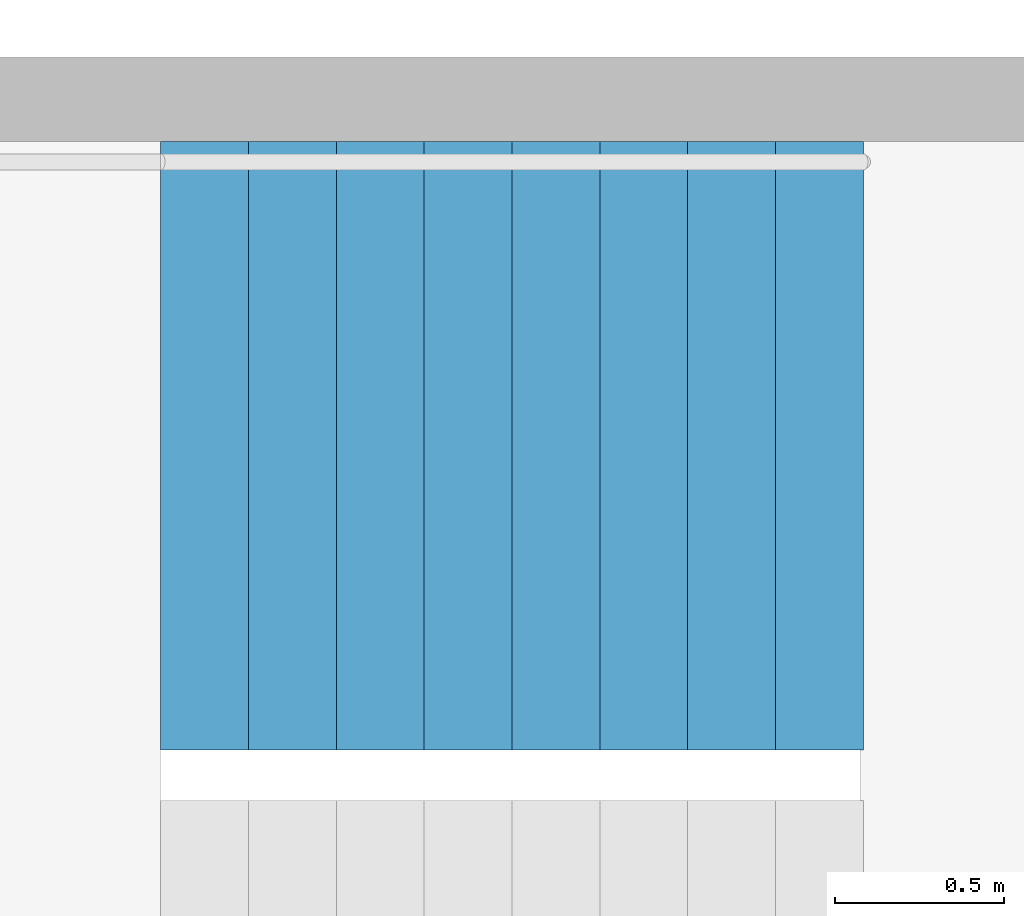
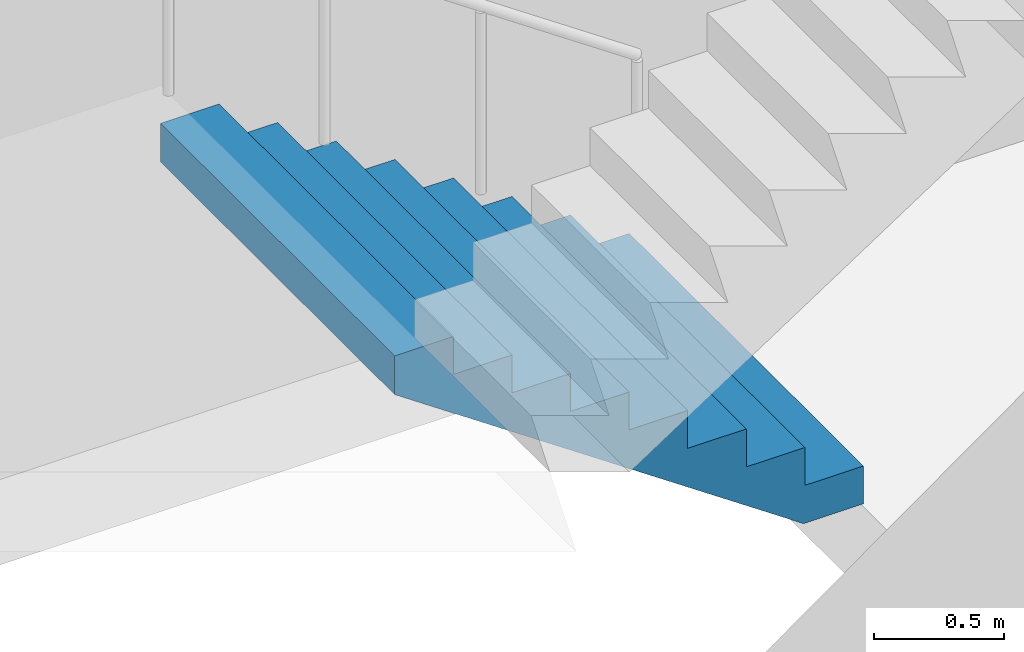
# One storey, part 20 of 33: 1 stair flight, 1 element without a shape of its own.
"""IFC4 building model written with IfcOpenShell, lengths in metres."""

from ifc_helpers import new_model, si_unit, direction, frame, origin, place, context, subcontext, project, spatial, triangles, material, type_object, element, aggregate, save


model = new_model("IFC4")

# Units and contexts
model_context = context("Model", 3, precision=1e-05, world=origin(), true_north=direction((0.0, 1.0)))
body_context = subcontext(model_context, "Body", "Model", "MODEL_VIEW")
ifc_project = project(units=[si_unit("LENGTHUNIT", "METRE"), si_unit("AREAUNIT", "SQUARE_METRE"), si_unit("VOLUMEUNIT", "CUBIC_METRE"), si_unit("PLANEANGLEUNIT", "RADIAN"), si_unit("MASSUNIT", "GRAM", prefix="KILO")], contexts=[model_context])

# Site, building, storey
site_placement = place(None, origin())
site = spatial("IfcSite", under=ifc_project, at=site_placement, CompositionType="ELEMENT")
building_placement = place(site_placement, origin())
building = spatial("IfcBuilding", under=site, at=building_placement, Name="Hakoniwa Tower and Hamabe Station Hall", CompositionType="ELEMENT")
storey_placement = place(building_placement, frame((0.0, 0.0, 81.800048828125)))
storey = spatial("IfcBuildingStorey", under=building, at=storey_placement, Name="L22", CompositionType="ELEMENT", Elevation=81.800048828125)

# Stair, stair flight
ifc_material_1 = material(Name="Concrete C40", Category="concrete")
stair_type = type_object("IfcStairType", Name="ESCAPE STAIR 1800", PredefinedType="HALF_TURN_STAIR", material=ifc_material_1)
stair_placement = place(storey_placement, origin())
stair = element("IfcStair", 1, at=stair_placement, inside=storey, type_object=stair_type, Name="Escape stair ST-2 L22", PredefinedType="HALF_TURN_STAIR")
ifc_material_2 = material(Name="Concrete C40", Category="concrete")
stair_flight_type = type_object("IfcStairFlightType", Name="STAIR FLIGHT 1800", PredefinedType="STRAIGHT", material=ifc_material_2)
stair_flight_placement = place(storey_placement, frame((-23.39990234375, -4.64990234375, 0.0), z_axis=(0.0, 0.0, 1.0), x_axis=(-1.0, 0.0, 0.0)))
stair_flight = element("IfcStairFlight", 2, at=stair_flight_placement, type_object=stair_flight_type, Name="ST-2 flight 1", NumberOfRisers=9, NumberOfTreads=8, PredefinedType="STRAIGHT", RiserHeight=0.177777778, TreadLength=0.26, context=body_context, shape_type="Tessellation", body=[
    triangles([(0.0, 0.89990234375, 0.0), (0.260009765625, 0.89990234375, 0.0), (0.265625, 0.89990234375, 0.0), (0.52001953125, 0.89990234375, 0.174072265625), (0.780029296875, 0.89990234375, 0.351806640625), (1.0400390625, 0.89990234375, 0.529541015625), (1.300048828125, 0.89990234375, 0.707275390625), (1.56005859375, 0.89990234375, 0.885009765625), (1.820068359375, 0.89990234375, 1.062744140625), (2.080078125, 0.89990234375, 1.24072265625), (2.080078125, 0.89990234375, 1.422119140625), (1.820068359375, 0.89990234375, 1.422119140625), (1.820068359375, 0.89990234375, 1.244384765625), (1.56005859375, 0.89990234375, 1.244384765625), (1.56005859375, 0.89990234375, 1.066650390625), (1.300048828125, 0.89990234375, 1.066650390625), (1.300048828125, 0.89990234375, 0.888916015625), (1.0400390625, 0.89990234375, 0.888916015625), (1.0400390625, 0.89990234375, 0.711181640625), (0.780029296875, 0.89990234375, 0.711181640625), (0.780029296875, 0.89990234375, 0.533447265625), (0.52001953125, 0.89990234375, 0.533447265625), (0.52001953125, 0.89990234375, 0.35546875), (0.265625, 0.89990234375, 0.35546875), (0.260009765625, 0.89990234375, 0.35546875), (0.260009765625, 0.89990234375, 0.177734375), (0.0, 0.89990234375, 0.177734375), (0.0, 0.06005859375, 0.0), (0.260009765625, 0.06005859375, 0.0), (0.265625, 0.06005859375, 0.0), (0.52001953125, 0.06005859375, 0.174072265625), (0.780029296875, 0.06005859375, 0.351806640625), (1.0400390625, 0.06005859375, 0.529541015625), (1.300048828125, 0.06005859375, 0.707275390625), (1.56005859375, 0.06005859375, 0.885009765625), (1.820068359375, 0.06005859375, 1.062744140625), (2.080078125, 0.06005859375, 1.24072265625), (2.080078125, 0.06005859375, 1.422119140625), (1.820068359375, 0.06005859375, 1.422119140625), (1.820068359375, 0.06005859375, 1.244384765625), (1.56005859375, 0.06005859375, 1.244384765625), (1.56005859375, 0.06005859375, 1.066650390625), (1.300048828125, 0.06005859375, 1.066650390625), (1.300048828125, 0.06005859375, 0.888916015625), (1.0400390625, 0.06005859375, 0.888916015625), (1.0400390625, 0.06005859375, 0.711181640625), (0.780029296875, 0.06005859375, 0.711181640625), (0.780029296875, 0.06005859375, 0.533447265625), (0.52001953125, 0.06005859375, 0.533447265625), (0.52001953125, 0.06005859375, 0.35546875), (0.265625, 0.06005859375, 0.35546875), (0.260009765625, 0.06005859375, 0.35546875), (0.260009765625, 0.06005859375, 0.177734375), (0.0, 0.06005859375, 0.177734375), (0.0, 0.04296875, 0.0), (0.260009765625, 0.04296875, 0.0), (0.265625, 0.04296875, 0.0), (0.52001953125, 0.04296875, 0.174072265625), (0.780029296875, 0.04296875, 0.351806640625), (1.0400390625, 0.04296875, 0.529541015625), (1.300048828125, 0.04296875, 0.707275390625), (1.56005859375, 0.04296875, 0.885009765625), (1.820068359375, 0.04296875, 1.062744140625), (2.080078125, 0.04296875, 1.24072265625), (2.080078125, 0.04296875, 1.422119140625), (1.820068359375, 0.04296875, 1.422119140625), (1.820068359375, 0.04296875, 1.244384765625), (1.56005859375, 0.04296875, 1.244384765625), (1.56005859375, 0.04296875, 1.066650390625), (1.300048828125, 0.04296875, 1.066650390625), (1.300048828125, 0.04296875, 0.888916015625), (1.0400390625, 0.04296875, 0.888916015625), (1.0400390625, 0.04296875, 0.711181640625), (0.780029296875, 0.04296875, 0.711181640625), (0.780029296875, 0.04296875, 0.533447265625), (0.52001953125, 0.04296875, 0.533447265625), (0.52001953125, 0.04296875, 0.35546875), (0.265625, 0.04296875, 0.35546875), (0.260009765625, 0.04296875, 0.35546875), (0.260009765625, 0.04296875, 0.177734375), (0.0, 0.04296875, 0.177734375), (0.0, 0.025634765625, 0.0), (0.260009765625, 0.025634765625, 0.0), (0.265625, 0.025634765625, 0.0), (0.52001953125, 0.025634765625, 0.174072265625), (0.780029296875, 0.025634765625, 0.351806640625), (1.0400390625, 0.025634765625, 0.529541015625), (1.300048828125, 0.025634765625, 0.707275390625), (1.56005859375, 0.025634765625, 0.885009765625), (1.820068359375, 0.025634765625, 1.062744140625), (2.080078125, 0.025634765625, 1.24072265625), (2.080078125, 0.025634765625, 1.422119140625), (1.820068359375, 0.025634765625, 1.422119140625), (1.820068359375, 0.025634765625, 1.244384765625), (1.56005859375, 0.025634765625, 1.244384765625), (1.56005859375, 0.025634765625, 1.066650390625), (1.300048828125, 0.025634765625, 1.066650390625), (1.300048828125, 0.025634765625, 0.888916015625), (1.0400390625, 0.025634765625, 0.888916015625), (1.0400390625, 0.025634765625, 0.711181640625), (0.780029296875, 0.025634765625, 0.711181640625), (0.780029296875, 0.025634765625, 0.533447265625), (0.52001953125, 0.025634765625, 0.533447265625), (0.52001953125, 0.025634765625, 0.35546875), (0.265625, 0.025634765625, 0.35546875), (0.260009765625, 0.025634765625, 0.35546875), (0.260009765625, 0.025634765625, 0.177734375), (0.0, 0.025634765625, 0.177734375), (0.0, 0.008544921875, 0.0), (0.260009765625, 0.008544921875, 0.0), (0.265625, 0.008544921875, 0.0), (0.52001953125, 0.008544921875, 0.174072265625), (0.780029296875, 0.008544921875, 0.351806640625), (1.0400390625, 0.008544921875, 0.529541015625), (1.300048828125, 0.008544921875, 0.707275390625), (1.56005859375, 0.008544921875, 0.885009765625), (1.820068359375, 0.008544921875, 1.062744140625), (2.080078125, 0.008544921875, 1.24072265625), (2.080078125, 0.008544921875, 1.422119140625), (1.820068359375, 0.008544921875, 1.422119140625), (1.820068359375, 0.008544921875, 1.244384765625), (1.56005859375, 0.008544921875, 1.244384765625), (1.56005859375, 0.008544921875, 1.066650390625), (1.300048828125, 0.008544921875, 1.066650390625), (1.300048828125, 0.008544921875, 0.888916015625), (1.0400390625, 0.008544921875, 0.888916015625), (1.0400390625, 0.008544921875, 0.711181640625), (0.780029296875, 0.008544921875, 0.711181640625), (0.780029296875, 0.008544921875, 0.533447265625), (0.52001953125, 0.008544921875, 0.533447265625), (0.52001953125, 0.008544921875, 0.35546875), (0.265625, 0.008544921875, 0.35546875), (0.260009765625, 0.008544921875, 0.35546875), (0.260009765625, 0.008544921875, 0.177734375), (0.0, 0.008544921875, 0.177734375), (0.0, -0.008544921875, 0.0), (0.260009765625, -0.008544921875, 0.0), (0.265625, -0.008544921875, 0.0), (0.52001953125, -0.008544921875, 0.174072265625), (0.780029296875, -0.008544921875, 0.351806640625), (1.0400390625, -0.008544921875, 0.529541015625), (1.300048828125, -0.008544921875, 0.707275390625), (1.56005859375, -0.008544921875, 0.885009765625), (1.820068359375, -0.008544921875, 1.062744140625), (2.080078125, -0.008544921875, 1.24072265625), (2.080078125, -0.008544921875, 1.422119140625), (1.820068359375, -0.008544921875, 1.422119140625), (1.820068359375, -0.008544921875, 1.244384765625), (1.56005859375, -0.008544921875, 1.244384765625), (1.56005859375, -0.008544921875, 1.066650390625), (1.300048828125, -0.008544921875, 1.066650390625), (1.300048828125, -0.008544921875, 0.888916015625), (1.0400390625, -0.008544921875, 0.888916015625), (1.0400390625, -0.008544921875, 0.711181640625), (0.780029296875, -0.008544921875, 0.711181640625), (0.780029296875, -0.008544921875, 0.533447265625), (0.52001953125, -0.008544921875, 0.533447265625), (0.52001953125, -0.008544921875, 0.35546875), (0.265625, -0.008544921875, 0.35546875), (0.260009765625, -0.008544921875, 0.35546875), (0.260009765625, -0.008544921875, 0.177734375), (0.0, -0.008544921875, 0.177734375), (0.0, -0.025634765625, 0.0), (0.260009765625, -0.025634765625, 0.0), (0.265625, -0.025634765625, 0.0), (0.52001953125, -0.025634765625, 0.174072265625), (0.780029296875, -0.025634765625, 0.351806640625), (1.0400390625, -0.025634765625, 0.529541015625), (1.300048828125, -0.025634765625, 0.707275390625), (1.56005859375, -0.025634765625, 0.885009765625), (1.820068359375, -0.025634765625, 1.062744140625), (2.080078125, -0.025634765625, 1.24072265625), (2.080078125, -0.025634765625, 1.422119140625), (1.820068359375, -0.025634765625, 1.422119140625), (1.820068359375, -0.025634765625, 1.244384765625), (1.56005859375, -0.025634765625, 1.244384765625), (1.56005859375, -0.025634765625, 1.066650390625), (1.300048828125, -0.025634765625, 1.066650390625), (1.300048828125, -0.025634765625, 0.888916015625), (1.0400390625, -0.025634765625, 0.888916015625), (1.0400390625, -0.025634765625, 0.711181640625), (0.780029296875, -0.025634765625, 0.711181640625), (0.780029296875, -0.025634765625, 0.533447265625), (0.52001953125, -0.025634765625, 0.533447265625), (0.52001953125, -0.025634765625, 0.35546875), (0.265625, -0.025634765625, 0.35546875), (0.260009765625, -0.025634765625, 0.35546875), (0.260009765625, -0.025634765625, 0.177734375), (0.0, -0.025634765625, 0.177734375), (0.0, -0.04296875, 0.0), (0.260009765625, -0.04296875, 0.0), (0.265625, -0.04296875, 0.0), (0.52001953125, -0.04296875, 0.174072265625), (0.780029296875, -0.04296875, 0.351806640625), (1.0400390625, -0.04296875, 0.529541015625), (1.300048828125, -0.04296875, 0.707275390625), (1.56005859375, -0.04296875, 0.885009765625), (1.820068359375, -0.04296875, 1.062744140625), (2.080078125, -0.04296875, 1.24072265625), (2.080078125, -0.04296875, 1.422119140625), (1.820068359375, -0.04296875, 1.422119140625), (1.820068359375, -0.04296875, 1.244384765625), (1.56005859375, -0.04296875, 1.244384765625), (1.56005859375, -0.04296875, 1.066650390625), (1.300048828125, -0.04296875, 1.066650390625), (1.300048828125, -0.04296875, 0.888916015625), (1.0400390625, -0.04296875, 0.888916015625), (1.0400390625, -0.04296875, 0.711181640625), (0.780029296875, -0.04296875, 0.711181640625), (0.780029296875, -0.04296875, 0.533447265625), (0.52001953125, -0.04296875, 0.533447265625), (0.52001953125, -0.04296875, 0.35546875), (0.265625, -0.04296875, 0.35546875), (0.260009765625, -0.04296875, 0.35546875), (0.260009765625, -0.04296875, 0.177734375), (0.0, -0.04296875, 0.177734375), (0.0, -0.06005859375, 0.0), (0.260009765625, -0.06005859375, 0.0), (0.265625, -0.06005859375, 0.0), (0.52001953125, -0.06005859375, 0.174072265625), (0.780029296875, -0.06005859375, 0.351806640625), (1.0400390625, -0.06005859375, 0.529541015625), (1.300048828125, -0.06005859375, 0.707275390625), (1.56005859375, -0.06005859375, 0.885009765625), (1.820068359375, -0.06005859375, 1.062744140625), (2.080078125, -0.06005859375, 1.24072265625), (2.080078125, -0.06005859375, 1.422119140625), (1.820068359375, -0.06005859375, 1.422119140625), (1.820068359375, -0.06005859375, 1.244384765625), (1.56005859375, -0.06005859375, 1.244384765625), (1.56005859375, -0.06005859375, 1.066650390625), (1.300048828125, -0.06005859375, 1.066650390625), (1.300048828125, -0.06005859375, 0.888916015625), (1.0400390625, -0.06005859375, 0.888916015625), (1.0400390625, -0.06005859375, 0.711181640625), (0.780029296875, -0.06005859375, 0.711181640625), (0.780029296875, -0.06005859375, 0.533447265625), (0.52001953125, -0.06005859375, 0.533447265625), (0.52001953125, -0.06005859375, 0.35546875), (0.265625, -0.06005859375, 0.35546875), (0.260009765625, -0.06005859375, 0.35546875), (0.260009765625, -0.06005859375, 0.177734375), (0.0, -0.06005859375, 0.177734375), (0.0, -0.89990234375, 0.0), (0.260009765625, -0.89990234375, 0.0), (0.265625, -0.89990234375, 0.0), (0.52001953125, -0.89990234375, 0.174072265625), (0.780029296875, -0.89990234375, 0.351806640625), (1.0400390625, -0.89990234375, 0.529541015625), (1.300048828125, -0.89990234375, 0.707275390625), (1.56005859375, -0.89990234375, 0.885009765625), (1.820068359375, -0.89990234375, 1.062744140625), (2.080078125, -0.89990234375, 1.24072265625), (2.080078125, -0.89990234375, 1.422119140625), (1.820068359375, -0.89990234375, 1.422119140625), (1.820068359375, -0.89990234375, 1.244384765625), (1.56005859375, -0.89990234375, 1.244384765625), (1.56005859375, -0.89990234375, 1.066650390625), (1.300048828125, -0.89990234375, 1.066650390625), (1.300048828125, -0.89990234375, 0.888916015625), (1.0400390625, -0.89990234375, 0.888916015625), (1.0400390625, -0.89990234375, 0.711181640625), (0.780029296875, -0.89990234375, 0.711181640625), (0.780029296875, -0.89990234375, 0.533447265625), (0.52001953125, -0.89990234375, 0.533447265625), (0.52001953125, -0.89990234375, 0.35546875), (0.265625, -0.89990234375, 0.35546875), (0.260009765625, -0.89990234375, 0.35546875), (0.260009765625, -0.89990234375, 0.177734375), (0.0, -0.89990234375, 0.177734375)], [[2, 27, 26], [245, 269, 270], [2, 1, 27], [245, 270, 244], [3, 25, 24], [246, 267, 268], [3, 26, 25], [246, 268, 269], [3, 2, 26], [246, 269, 245], [4, 24, 23], [247, 266, 267], [4, 3, 24], [247, 267, 246], [5, 22, 21], [248, 264, 265], [5, 23, 22], [248, 265, 266], [5, 4, 23], [248, 266, 247], [6, 20, 19], [249, 262, 263], [6, 21, 20], [249, 263, 264], [6, 5, 21], [249, 264, 248], [7, 18, 17], [250, 260, 261], [7, 19, 18], [250, 261, 262], [7, 6, 19], [250, 262, 249], [8, 16, 15], [251, 258, 259], [8, 17, 16], [251, 259, 260], [8, 7, 17], [251, 260, 250], [9, 14, 13], [252, 256, 257], [9, 15, 14], [252, 257, 258], [9, 8, 15], [252, 258, 251], [10, 12, 11], [253, 254, 255], [10, 13, 12], [253, 255, 256], [10, 9, 13], [253, 256, 252], [1, 2, 29], [1, 29, 28], [28, 29, 56], [28, 56, 55], [55, 56, 83], [55, 83, 82], [82, 83, 110], [82, 110, 109], [109, 110, 137], [109, 137, 136], [136, 137, 164], [136, 164, 163], [163, 164, 191], [163, 191, 190], [190, 191, 218], [190, 218, 217], [217, 218, 245], [217, 245, 244], [2, 3, 30], [2, 30, 29], [29, 30, 57], [29, 57, 56], [56, 57, 84], [56, 84, 83], [83, 84, 111], [83, 111, 110], [110, 111, 138], [110, 138, 137], [137, 138, 165], [137, 165, 164], [164, 165, 192], [164, 192, 191], [191, 192, 219], [191, 219, 218], [218, 219, 246], [218, 246, 245], [3, 4, 31], [3, 31, 30], [30, 31, 58], [30, 58, 57], [57, 58, 85], [57, 85, 84], [84, 85, 112], [84, 112, 111], [111, 112, 139], [111, 139, 138], [138, 139, 166], [138, 166, 165], [165, 166, 193], [165, 193, 192], [192, 193, 220], [192, 220, 219], [219, 220, 247], [219, 247, 246], [4, 5, 32], [4, 32, 31], [31, 32, 59], [31, 59, 58], [58, 59, 86], [58, 86, 85], [85, 86, 113], [85, 113, 112], [112, 113, 140], [112, 140, 139], [139, 140, 167], [139, 167, 166], [166, 167, 194], [166, 194, 193], [193, 194, 221], [193, 221, 220], [220, 221, 248], [220, 248, 247], [5, 6, 33], [5, 33, 32], [32, 33, 60], [32, 60, 59], [59, 60, 87], [59, 87, 86], [86, 87, 114], [86, 114, 113], [113, 114, 141], [113, 141, 140], [140, 141, 168], [140, 168, 167], [167, 168, 195], [167, 195, 194], [194, 195, 222], [194, 222, 221], [221, 222, 249], [221, 249, 248], [6, 7, 34], [6, 34, 33], [33, 34, 61], [33, 61, 60], [60, 61, 88], [60, 88, 87], [87, 88, 115], [87, 115, 114], [114, 115, 142], [114, 142, 141], [141, 142, 169], [141, 169, 168], [168, 169, 196], [168, 196, 195], [195, 196, 223], [195, 223, 222], [222, 223, 250], [222, 250, 249], [7, 8, 35], [7, 35, 34], [34, 35, 62], [34, 62, 61], [61, 62, 89], [61, 89, 88], [88, 89, 116], [88, 116, 115], [115, 116, 143], [115, 143, 142], [142, 143, 170], [142, 170, 169], [169, 170, 197], [169, 197, 196], [196, 197, 224], [196, 224, 223], [223, 224, 251], [223, 251, 250], [8, 9, 36], [8, 36, 35], [35, 36, 63], [35, 63, 62], [62, 63, 90], [62, 90, 89], [89, 90, 117], [89, 117, 116], [116, 117, 144], [116, 144, 143], [143, 144, 171], [143, 171, 170], [170, 171, 198], [170, 198, 197], [197, 198, 225], [197, 225, 224], [224, 225, 252], [224, 252, 251], [9, 10, 37], [9, 37, 36], [36, 37, 64], [36, 64, 63], [63, 64, 91], [63, 91, 90], [90, 91, 118], [90, 118, 117], [117, 118, 145], [117, 145, 144], [144, 145, 172], [144, 172, 171], [171, 172, 199], [171, 199, 198], [198, 199, 226], [198, 226, 225], [225, 226, 253], [225, 253, 252], [10, 11, 38], [10, 38, 37], [37, 38, 65], [37, 65, 64], [64, 65, 92], [64, 92, 91], [91, 92, 119], [91, 119, 118], [118, 119, 146], [118, 146, 145], [145, 146, 173], [145, 173, 172], [172, 173, 200], [172, 200, 199], [199, 200, 227], [199, 227, 226], [226, 227, 254], [226, 254, 253], [11, 12, 39], [11, 39, 38], [38, 39, 66], [38, 66, 65], [65, 66, 93], [65, 93, 92], [92, 93, 120], [92, 120, 119], [119, 120, 147], [119, 147, 146], [146, 147, 174], [146, 174, 173], [173, 174, 201], [173, 201, 200], [200, 201, 228], [200, 228, 227], [227, 228, 255], [227, 255, 254], [12, 13, 40], [12, 40, 39], [39, 40, 67], [39, 67, 66], [66, 67, 94], [66, 94, 93], [93, 94, 121], [93, 121, 120], [120, 121, 148], [120, 148, 147], [147, 148, 175], [147, 175, 174], [174, 175, 202], [174, 202, 201], [201, 202, 229], [201, 229, 228], [228, 229, 256], [228, 256, 255], [13, 14, 41], [13, 41, 40], [40, 41, 68], [40, 68, 67], [67, 68, 95], [67, 95, 94], [94, 95, 122], [94, 122, 121], [121, 122, 149], [121, 149, 148], [148, 149, 176], [148, 176, 175], [175, 176, 203], [175, 203, 202], [202, 203, 230], [202, 230, 229], [229, 230, 257], [229, 257, 256], [14, 15, 42], [14, 42, 41], [41, 42, 69], [41, 69, 68], [68, 69, 96], [68, 96, 95], [95, 96, 123], [95, 123, 122], [122, 123, 150], [122, 150, 149], [149, 150, 177], [149, 177, 176], [176, 177, 204], [176, 204, 203], [203, 204, 231], [203, 231, 230], [230, 231, 258], [230, 258, 257], [15, 16, 43], [15, 43, 42], [42, 43, 70], [42, 70, 69], [69, 70, 97], [69, 97, 96], [96, 97, 124], [96, 124, 123], [123, 124, 151], [123, 151, 150], [150, 151, 178], [150, 178, 177], [177, 178, 205], [177, 205, 204], [204, 205, 232], [204, 232, 231], [231, 232, 259], [231, 259, 258], [16, 17, 44], [16, 44, 43], [43, 44, 71], [43, 71, 70], [70, 71, 98], [70, 98, 97], [97, 98, 125], [97, 125, 124], [124, 125, 152], [124, 152, 151], [151, 152, 179], [151, 179, 178], [178, 179, 206], [178, 206, 205], [205, 206, 233], [205, 233, 232], [232, 233, 260], [232, 260, 259], [17, 18, 45], [17, 45, 44], [44, 45, 72], [44, 72, 71], [71, 72, 99], [71, 99, 98], [98, 99, 126], [98, 126, 125], [125, 126, 153], [125, 153, 152], [152, 153, 180], [152, 180, 179], [179, 180, 207], [179, 207, 206], [206, 207, 234], [206, 234, 233], [233, 234, 261], [233, 261, 260], [18, 19, 46], [18, 46, 45], [45, 46, 73], [45, 73, 72], [72, 73, 100], [72, 100, 99], [99, 100, 127], [99, 127, 126], [126, 127, 154], [126, 154, 153], [153, 154, 181], [153, 181, 180], [180, 181, 208], [180, 208, 207], [207, 208, 235], [207, 235, 234], [234, 235, 262], [234, 262, 261], [19, 20, 47], [19, 47, 46], [46, 47, 74], [46, 74, 73], [73, 74, 101], [73, 101, 100], [100, 101, 128], [100, 128, 127], [127, 128, 155], [127, 155, 154], [154, 155, 182], [154, 182, 181], [181, 182, 209], [181, 209, 208], [208, 209, 236], [208, 236, 235], [235, 236, 263], [235, 263, 262], [20, 21, 48], [20, 48, 47], [47, 48, 75], [47, 75, 74], [74, 75, 102], [74, 102, 101], [101, 102, 129], [101, 129, 128], [128, 129, 156], [128, 156, 155], [155, 156, 183], [155, 183, 182], [182, 183, 210], [182, 210, 209], [209, 210, 237], [209, 237, 236], [236, 237, 264], [236, 264, 263], [21, 22, 49], [21, 49, 48], [48, 49, 76], [48, 76, 75], [75, 76, 103], [75, 103, 102], [102, 103, 130], [102, 130, 129], [129, 130, 157], [129, 157, 156], [156, 157, 184], [156, 184, 183], [183, 184, 211], [183, 211, 210], [210, 211, 238], [210, 238, 237], [237, 238, 265], [237, 265, 264], [22, 23, 50], [22, 50, 49], [49, 50, 77], [49, 77, 76], [76, 77, 104], [76, 104, 103], [103, 104, 131], [103, 131, 130], [130, 131, 158], [130, 158, 157], [157, 158, 185], [157, 185, 184], [184, 185, 212], [184, 212, 211], [211, 212, 239], [211, 239, 238], [238, 239, 266], [238, 266, 265], [23, 24, 51], [23, 51, 50], [50, 51, 78], [50, 78, 77], [77, 78, 105], [77, 105, 104], [104, 105, 132], [104, 132, 131], [131, 132, 159], [131, 159, 158], [158, 159, 186], [158, 186, 185], [185, 186, 213], [185, 213, 212], [212, 213, 240], [212, 240, 239], [239, 240, 267], [239, 267, 266], [24, 25, 52], [24, 52, 51], [51, 52, 79], [51, 79, 78], [78, 79, 106], [78, 106, 105], [105, 106, 133], [105, 133, 132], [132, 133, 160], [132, 160, 159], [159, 160, 187], [159, 187, 186], [186, 187, 214], [186, 214, 213], [213, 214, 241], [213, 241, 240], [240, 241, 268], [240, 268, 267], [25, 26, 53], [25, 53, 52], [52, 53, 80], [52, 80, 79], [79, 80, 107], [79, 107, 106], [106, 107, 134], [106, 134, 133], [133, 134, 161], [133, 161, 160], [160, 161, 188], [160, 188, 187], [187, 188, 215], [187, 215, 214], [214, 215, 242], [214, 242, 241], [241, 242, 269], [241, 269, 268], [26, 27, 54], [26, 54, 53], [53, 54, 81], [53, 81, 80], [80, 81, 108], [80, 108, 107], [107, 108, 135], [107, 135, 134], [134, 135, 162], [134, 162, 161], [161, 162, 189], [161, 189, 188], [188, 189, 216], [188, 216, 215], [215, 216, 243], [215, 243, 242], [242, 243, 270], [242, 270, 269], [27, 1, 28], [27, 28, 54], [54, 28, 55], [54, 55, 81], [81, 55, 82], [81, 82, 108], [108, 82, 109], [108, 109, 135], [135, 109, 136], [135, 136, 162], [162, 136, 163], [162, 163, 189], [189, 163, 190], [189, 190, 216], [216, 190, 217], [216, 217, 243], [243, 217, 244], [243, 244, 270]], closed=True),
])
aggregate(stair, [stair_flight])

save(model, "model.ifc")
